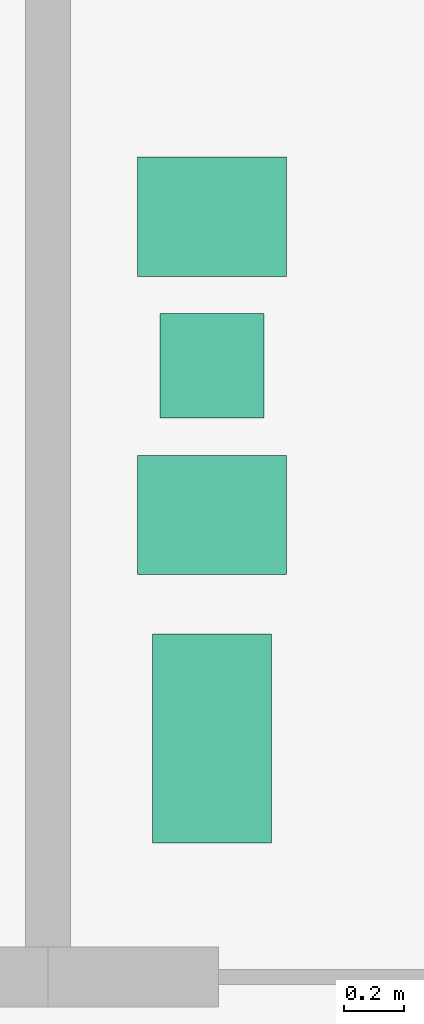
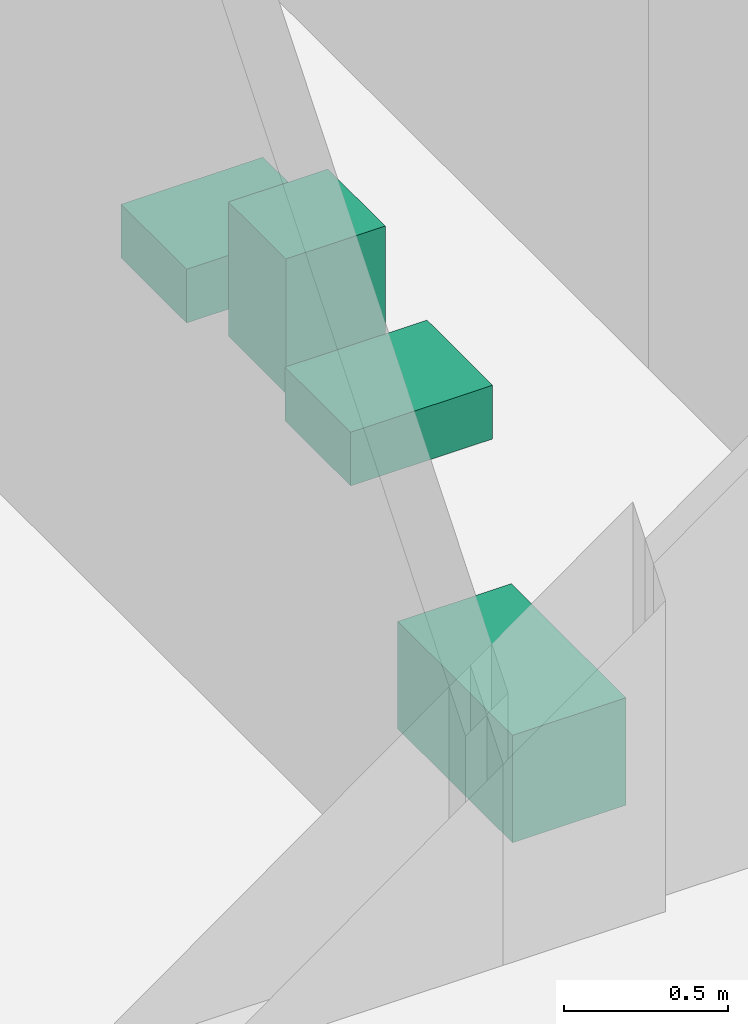
# One storey, part 12 of 12: 4 sanitary terminals.
"""IFC4 building model written with IfcOpenShell, lengths in metres."""

from ifc_helpers import new_model, si_unit, direction, frame, origin, origin_2d, place, context, subcontext, project, spatial, rectangle, extrude, material, type_object, element, save


model = new_model("IFC4")

# Units and contexts
model_context = context("Model", 3, precision=1e-05, world=origin(), true_north=direction((0.0, 1.0)))
body_context = subcontext(model_context, "Body", "Model", "MODEL_VIEW")
ifc_project = project(units=[si_unit("LENGTHUNIT", "METRE"), si_unit("AREAUNIT", "SQUARE_METRE"), si_unit("VOLUMEUNIT", "CUBIC_METRE"), si_unit("PLANEANGLEUNIT", "RADIAN"), si_unit("MASSUNIT", "GRAM", prefix="KILO")], contexts=[model_context])

# Site, building, storey
site_placement = place(None, origin())
site = spatial("IfcSite", under=ifc_project, at=site_placement, CompositionType="ELEMENT")
building_placement = place(site_placement, origin())
building = spatial("IfcBuilding", under=site, at=building_placement, Name="Ostrand Prow Hotel Tower", CompositionType="ELEMENT")
storey_placement = place(building_placement, frame((0.0, 0.0, 8.0)))
storey = spatial("IfcBuildingStorey", under=building, at=storey_placement, Name="L01", CompositionType="ELEMENT", Elevation=8.0)

# Sanitary terminals
ifc_material_1 = material(Name="Vitreous china")
sanitary_terminal_type_1 = type_object("IfcSanitaryTerminalType", Name="Urinal 350x350", PredefinedType="URINAL", material=ifc_material_1)
sanitary_terminal_1_placement = place(storey_placement, frame((73.1806640625, 6.188720703125, 0.800048828125), z_axis=(0.0, 0.0, 1.0), x_axis=(1.0, 0.0, 0.0)))
element("IfcSanitaryTerminal", 1, at=sanitary_terminal_1_placement, inside=storey, type_object=sanitary_terminal_type_1, Name="URINAL", PredefinedType="URINAL", context=body_context, shape_type="SweptSolid", body=[
    extrude(rectangle(XDim=0.35009765625, YDim=0.35009765625, at=origin_2d()), origin(), (0.0, 0.0, 1.0), 0.5),
])
ifc_material_2 = material(Name="Vitreous china")
sanitary_terminal_type_2 = type_object("IfcSanitaryTerminalType", Name="WC pan 360x700", PredefinedType="TOILETPAN", material=ifc_material_2)
sanitary_terminal_2_placement = place(storey_placement, frame((73.1806640625, 4.938720703125, 0.0), z_axis=(0.0, 0.0, 1.0), x_axis=(1.0, 0.0, 0.0)))
element("IfcSanitaryTerminal", 2, at=sanitary_terminal_2_placement, inside=storey, type_object=sanitary_terminal_type_2, Name="PAN", PredefinedType="TOILETPAN", context=body_context, shape_type="SweptSolid", body=[
    extrude(rectangle(XDim=0.39990234375, YDim=0.699951171875, at=origin_2d()), origin(), (0.0, 0.0, 1.0), 0.39990234375),
])
ifc_material_3 = material(Name="Vitreous china")
sanitary_terminal_type_3 = type_object("IfcSanitaryTerminalType", Name="Wash hand basin 500x400", PredefinedType="WASHHANDBASIN", material=ifc_material_3)
for number, where, z_axis, x_axis, name in (
    (3, (73.1806640625, 5.688720703125, 0.7998046875), (0.0, 0.0, 1.0), (1.0, 0.0, 0.0), "WASH HAND BASIN"),
    (4, (73.1806640625, 6.688720703125, 0.7998046875), (0.0, 0.0, 1.0), (1.0, 0.0, 0.0), "WASH HAND BASIN"),
):
    element("IfcSanitaryTerminal", number, at=place(storey_placement, frame(where, z_axis=z_axis, x_axis=x_axis)), inside=storey, type_object=sanitary_terminal_type_3, Name=name, PredefinedType="WASHHANDBASIN", context=body_context, shape_type="SweptSolid", body=[
        extrude(rectangle(XDim=0.5, YDim=0.39990234375, at=origin_2d()), origin(), (0.0, 0.0, 1.0), 0.199951171875),
    ])

save(model, "model.ifc")
